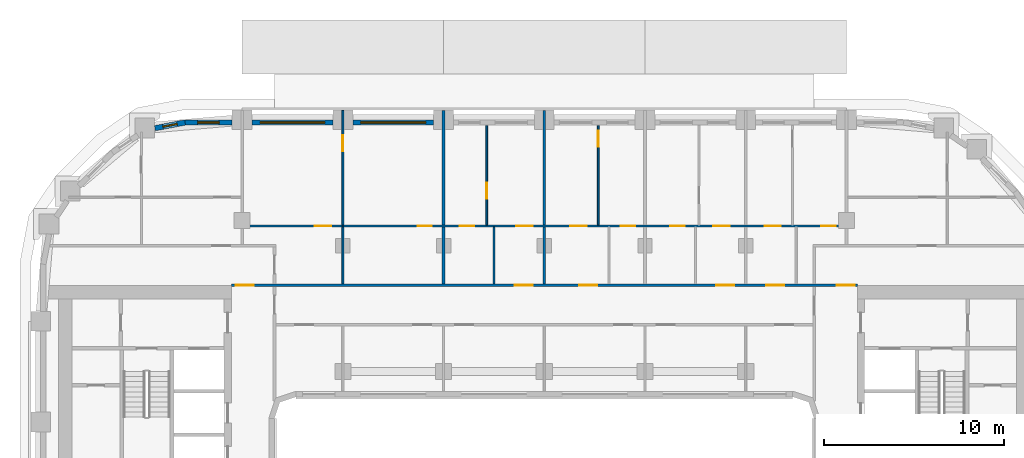
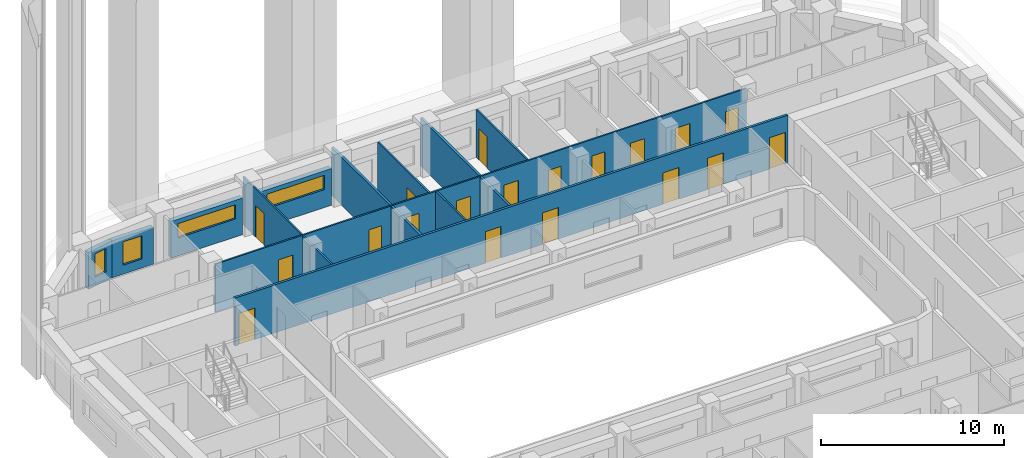
# One storey, part 8 of 18: 19 doors, 15 walls, 4 windows, 23 openings.
"""IFC4 building model written with IfcOpenShell, lengths in metres."""

from ifc_helpers import new_model, si_unit, direction, frame, frame_2d, origin, place, context, subcontext, project, spatial, rectangle, extrude, material, layer, layer_set, type_object, element, fill, save


model = new_model("IFC4")

# Units and contexts
model_context = context("Model", 3, precision=1e-05, world=origin(), true_north=direction((0.0, 1.0)))
body_context = subcontext(model_context, "Body", "Model", "MODEL_VIEW")
ifc_project = project(units=[si_unit("LENGTHUNIT", "METRE"), si_unit("AREAUNIT", "SQUARE_METRE"), si_unit("VOLUMEUNIT", "CUBIC_METRE"), si_unit("PLANEANGLEUNIT", "RADIAN"), si_unit("MASSUNIT", "GRAM", prefix="KILO")], contexts=[model_context])

# Site, building, storey
site_placement = place(None, origin())
site = spatial("IfcSite", under=ifc_project, at=site_placement, CompositionType="ELEMENT")
building_placement = place(site_placement, origin())
building = spatial("IfcBuilding", under=site, at=building_placement, Name="Kiln Ring Residences", CompositionType="ELEMENT")
storey_placement = place(building_placement, frame((0.0, 0.0, 136.10009765625)))
storey = spatial("IfcBuildingStorey", under=building, at=storey_placement, Name="L34", CompositionType="ELEMENT", Elevation=136.10009765625)

# Wall, opening, window
ifc_material_1 = material(Name="Brick masonry, dark clay brick", Category="masonry")
ifc_layer_1 = layer(ifc_material_1, 0.300048828125)
ifc_layer_set_1 = layer_set([ifc_layer_1], Name="EW-300 BRICK WALL")
wall_type_1 = type_object("IfcWallType", Name="EW-300 BRICK WALL", PredefinedType="SOLIDWALL", material=ifc_layer_set_1)
wall_1_placement = place(storey_placement, frame((-6.14990234375, 22.25, 0.0), z_axis=(0.0, 0.0, 1.0), x_axis=(-1.0, 0.0, 0.0)))
wall_1 = element("IfcWall", 1, at=wall_1_placement, inside=storey, type_object=wall_type_1, Name="Facade wall L34 33", PredefinedType="SOLIDWALL", context=body_context, shape_type="SweptSolid", body=[
    extrude(rectangle(XDim=4.5, YDim=0.300048828125, at=frame_2d((2.25, 0.0))), origin(), (0.0, 0.0, 1.0), 2.449951171875),
])
opening_1_placement = place(wall_1_placement, frame((0.449951171875, 0.0, 1.199951171875)))
opening_1 = element("IfcOpeningElement", 2, at=opening_1_placement, cuts=wall_1, Name="Opening W4", PredefinedType="OPENING", context=body_context, shape_type="SweptSolid", body=[
    extrude(rectangle(XDim=3.60009765625, YDim=0.949951171875, at=frame_2d((1.800048828125, 0.47509765625))), frame((0.0, 0.159912109375, 0.0), z_axis=(0.0, -1.0, 0.0), x_axis=(1.0, 0.0, 0.0)), (0.0, 0.0, 1.0), 0.320068359375),
])
ifc_material_2 = material(Name="Aluminium frame with double glazing", Category="aluminium")
window_type_1 = type_object("IfcWindowType", Name="WINDOW 3600 x 950", PartitioningType="SINGLE_PANEL", PredefinedType="WINDOW", material=ifc_material_2)
window_1_placement = place(opening_1_placement, origin())
window_1 = element("IfcWindow", 3, at=window_1_placement, inside=storey, type_object=window_type_1, Name="Window L34 27", OverallHeight=0.949951171875, OverallWidth=3.60009765625, PartitioningType="SINGLE_PANEL", PredefinedType="WINDOW", context=body_context, shape_type="SweptSolid", body=[
    extrude(rectangle(XDim=3.60009765625, YDim=0.949951171875, at=frame_2d((1.800048828125, 0.47509765625))), frame((0.0, 0.030029296875, 0.0), z_axis=(0.0, -1.0, 0.0), x_axis=(1.0, 0.0, 0.0)), (0.0, 0.0, 1.0), 0.06005859375),
])
fill(opening_1, window_1)

wall_2_placement = place(storey_placement, frame((-11.75, 22.25, 0.0), z_axis=(0.0, 0.0, 1.0), x_axis=(-1.0, 0.0, 0.0)))
wall_2 = element("IfcWall", 4, at=wall_2_placement, inside=storey, type_object=wall_type_1, Name="Facade wall L34 34", PredefinedType="SOLIDWALL", context=body_context, shape_type="SweptSolid", body=[
    extrude(rectangle(XDim=4.5, YDim=0.300048828125, at=frame_2d((2.25, 0.0))), origin(), (0.0, 0.0, 1.0), 2.449951171875),
])
opening_2_placement = place(wall_2_placement, frame((0.449951171875, 0.0, 1.199951171875)))
opening_2 = element("IfcOpeningElement", 5, at=opening_2_placement, cuts=wall_2, Name="Opening W4", PredefinedType="OPENING", context=body_context, shape_type="SweptSolid", body=[
    extrude(rectangle(XDim=3.60009765625, YDim=0.949951171875, at=frame_2d((1.800048828125, 0.47509765625))), frame((0.0, 0.159912109375, 0.0), z_axis=(0.0, -1.0, 0.0), x_axis=(1.0, 0.0, 0.0)), (0.0, 0.0, 1.0), 0.320068359375),
])
window_2_placement = place(opening_2_placement, origin())
window_2 = element("IfcWindow", 6, at=window_2_placement, inside=storey, type_object=window_type_1, Name="Window L34 28", OverallHeight=0.949951171875, OverallWidth=3.60009765625, PartitioningType="SINGLE_PANEL", PredefinedType="WINDOW", context=body_context, shape_type="SweptSolid", body=[
    extrude(rectangle(XDim=3.60009765625, YDim=0.949951171875, at=frame_2d((1.800048828125, 0.47509765625))), frame((0.0, 0.030029296875, 0.0), z_axis=(0.0, -1.0, 0.0), x_axis=(1.0, 0.0, 0.0)), (0.0, 0.0, 1.0), 0.06005859375),
])
fill(opening_2, window_2)

wall_3_placement = place(storey_placement, frame((-17.35009765625, 22.25, 0.0), z_axis=(0.0, 0.0, 1.0), x_axis=(-1.0, 0.0, 0.0)))
wall_3 = element("IfcWall", 7, at=wall_3_placement, inside=storey, type_object=wall_type_1, Name="Facade wall L34 35", PredefinedType="SOLIDWALL", context=body_context, shape_type="SweptSolid", body=[
    extrude(rectangle(XDim=2.64990234375, YDim=0.300048828125, at=frame_2d((1.324951171875, 0.0))), origin(), (0.0, 0.0, 1.0), 2.449951171875),
])
opening_3_placement = place(wall_3_placement, frame((0.72509765625, 0.0, 0.60009765625)))
opening_3 = element("IfcOpeningElement", 8, at=opening_3_placement, cuts=wall_3, Name="Opening W1", PredefinedType="OPENING", context=body_context, shape_type="SweptSolid", body=[
    extrude(rectangle(XDim=1.199951171875, YDim=1.550048828125, at=frame_2d((0.60009765625, 0.77490234375))), frame((0.0, 0.159912109375, 0.0), z_axis=(0.0, -1.0, 0.0), x_axis=(1.0, 0.0, 0.0)), (0.0, 0.0, 1.0), 0.320068359375),
])
ifc_material_3 = material(Name="Aluminium frame with double glazing", Category="aluminium")
window_type_2 = type_object("IfcWindowType", Name="WINDOW 1200 x 1550", PartitioningType="SINGLE_PANEL", PredefinedType="WINDOW", material=ifc_material_3)
window_3_placement = place(opening_3_placement, origin())
window_3 = element("IfcWindow", 9, at=window_3_placement, inside=storey, type_object=window_type_2, Name="Window L34 29", OverallHeight=1.550048828125, OverallWidth=1.199951171875, PartitioningType="SINGLE_PANEL", PredefinedType="WINDOW", context=body_context, shape_type="SweptSolid", body=[
    extrude(rectangle(XDim=1.199951171875, YDim=1.550048828125, at=frame_2d((0.60009765625, 0.77490234375))), frame((0.0, 0.030029296875, 0.0), z_axis=(0.0, -1.0, 0.0), x_axis=(1.0, 0.0, 0.0)), (0.0, 0.0, 1.0), 0.06005859375),
])
fill(opening_3, window_3)

wall_4_placement = place(storey_placement, frame((-19.971923828125, 22.252685546875, 0.0), z_axis=(0.0, 0.0, 1.0), x_axis=(-0.982297206936, -0.187329114784, 0.0)))
wall_4 = element("IfcWall", 10, at=wall_4_placement, inside=storey, type_object=wall_type_1, Name="Facade wall L34 36", PredefinedType="SOLIDWALL", context=body_context, shape_type="SweptSolid", body=[
    extrude(rectangle(XDim=1.7060546875, YDim=0.300048828125, at=frame_2d((0.85302734375, 0.0))), origin(), (0.0, 0.0, 1.0), 2.449951171875),
])
opening_4_placement = place(wall_4_placement, frame((0.453125, 0.0, 0.60009765625)))
opening_4 = element("IfcOpeningElement", 11, at=opening_4_placement, cuts=wall_4, Name="Opening W5", PredefinedType="OPENING", context=body_context, shape_type="SweptSolid", body=[
    extrude(rectangle(XDim=0.800048828125, YDim=1.550048828125, at=frame_2d((0.39990234375, 0.77490234375))), frame((0.0, 0.159912109375, 0.0), z_axis=(0.0, -1.0, 0.0), x_axis=(1.0, 0.0, 0.0)), (0.0, 0.0, 1.0), 0.320068359375),
])
ifc_material_4 = material(Name="Aluminium frame with double glazing", Category="aluminium")
window_type_3 = type_object("IfcWindowType", Name="WINDOW 800 x 1550", PartitioningType="SINGLE_PANEL", PredefinedType="WINDOW", material=ifc_material_4)
window_4_placement = place(opening_4_placement, origin())
window_4 = element("IfcWindow", 12, at=window_4_placement, inside=storey, type_object=window_type_3, Name="Window L34 30", OverallHeight=1.550048828125, OverallWidth=0.800048828125, PartitioningType="SINGLE_PANEL", PredefinedType="WINDOW", context=body_context, shape_type="SweptSolid", body=[
    extrude(rectangle(XDim=0.800048828125, YDim=1.550048828125, at=frame_2d((0.39990234375, 0.77490234375))), frame((0.0, 0.030029296875, 0.0), z_axis=(0.0, -1.0, 0.0), x_axis=(1.0, 0.0, 0.0)), (0.0, 0.0, 1.0), 0.06005859375),
])
fill(opening_4, window_4)

# Wall, openings, doors
ifc_material_5 = material(Name="Gypsum board on steel studs", Category="steel")
ifc_layer_2 = layer(ifc_material_5, 0.10009765625)
ifc_layer_set_2 = layer_set([ifc_layer_2], Name="PARTITION-100")
wall_type_2 = type_object("IfcWallType", Name="PARTITION-100", PredefinedType="PARTITIONING", material=ifc_layer_set_2)
wall_5_placement = place(storey_placement, frame((-16.72509765625, 16.5, 0.0), z_axis=(0.0, 0.0, 1.0), x_axis=(1.0, 0.0, 0.0)))
wall_5 = element("IfcWall", 13, at=wall_5_placement, inside=storey, type_object=wall_type_2, Name="Partition 011", PredefinedType="PARTITIONING", context=body_context, shape_type="SweptSolid", body=[
    extrude(rectangle(XDim=33.4501953125, YDim=0.10009765625, at=frame_2d((16.72509765625, 0.0))), origin(), (0.0, 0.0, 1.0), 3.199951171875),
])
opening_5_placement = place(wall_5_placement, frame((9.675048828125, 0.0, 0.0)))
opening_5 = element("IfcOpeningElement", 14, at=opening_5_placement, cuts=wall_5, Name="Opening L34-D016", PredefinedType="OPENING", context=body_context, shape_type="SweptSolid", body=[
    extrude(rectangle(XDim=0.800048828125, YDim=2.10009765625, at=frame_2d((0.39990234375, 1.050048828125))), frame((0.0, 0.06005859375, 0.0), z_axis=(0.0, -1.0, 0.0), x_axis=(1.0, 0.0, 0.0)), (0.0, 0.0, 1.0), 0.1201171875),
])
opening_6_placement = place(wall_5_placement, frame((3.97509765625, 0.0, 0.0)))
opening_6 = element("IfcOpeningElement", 15, at=opening_6_placement, cuts=wall_5, Name="Opening L34-D017", PredefinedType="OPENING", context=body_context, shape_type="SweptSolid", body=[
    extrude(rectangle(XDim=0.89990234375, YDim=2.10009765625, at=frame_2d((0.449951171875, 1.050048828125))), frame((0.0, 0.06005859375, 0.0), z_axis=(0.0, -1.0, 0.0), x_axis=(1.0, 0.0, 0.0)), (0.0, 0.0, 1.0), 0.1201171875),
])
opening_7_placement = place(wall_5_placement, frame((12.02490234375, 0.0, 0.0)))
opening_7 = element("IfcOpeningElement", 16, at=opening_7_placement, cuts=wall_5, Name="Opening L34-D020", PredefinedType="OPENING", context=body_context, shape_type="SweptSolid", body=[
    extrude(rectangle(XDim=0.800048828125, YDim=2.10009765625, at=frame_2d((0.39990234375, 1.050048828125))), frame((0.0, 0.06005859375, 0.0), z_axis=(0.0, -1.0, 0.0), x_axis=(1.0, 0.0, 0.0)), (0.0, 0.0, 1.0), 0.1201171875),
])
opening_8_placement = place(wall_5_placement, frame((15.175048828125, 0.0, 0.0)))
opening_8 = element("IfcOpeningElement", 17, at=opening_8_placement, cuts=wall_5, Name="Opening L34-D021", PredefinedType="OPENING", context=body_context, shape_type="SweptSolid", body=[
    extrude(rectangle(XDim=0.89990234375, YDim=2.10009765625, at=frame_2d((0.449951171875, 1.050048828125))), frame((0.0, 0.06005859375, 0.0), z_axis=(0.0, -1.0, 0.0), x_axis=(1.0, 0.0, 0.0)), (0.0, 0.0, 1.0), 0.1201171875),
])
opening_9_placement = place(wall_5_placement, frame((20.97509765625, 0.0, 0.0)))
opening_9 = element("IfcOpeningElement", 18, at=opening_9_placement, cuts=wall_5, Name="Opening L34-D024", PredefinedType="OPENING", context=body_context, shape_type="SweptSolid", body=[
    extrude(rectangle(XDim=0.800048828125, YDim=2.10009765625, at=frame_2d((0.39990234375, 1.050048828125))), frame((0.0, 0.06005859375, 0.0), z_axis=(0.0, -1.0, 0.0), x_axis=(1.0, 0.0, 0.0)), (0.0, 0.0, 1.0), 0.1201171875),
])
opening_10_placement = place(wall_5_placement, frame((18.175048828125, 0.0, 0.0)))
opening_10 = element("IfcOpeningElement", 19, at=opening_10_placement, cuts=wall_5, Name="Opening L34-D025", PredefinedType="OPENING", context=body_context, shape_type="SweptSolid", body=[
    extrude(rectangle(XDim=0.89990234375, YDim=2.10009765625, at=frame_2d((0.449951171875, 1.050048828125))), frame((0.0, 0.06005859375, 0.0), z_axis=(0.0, -1.0, 0.0), x_axis=(1.0, 0.0, 0.0)), (0.0, 0.0, 1.0), 0.1201171875),
])
opening_11_placement = place(wall_5_placement, frame((23.72509765625, 0.0, 0.0)))
opening_11 = element("IfcOpeningElement", 20, at=opening_11_placement, cuts=wall_5, Name="Opening L34-D028", PredefinedType="OPENING", context=body_context, shape_type="SweptSolid", body=[
    extrude(rectangle(XDim=0.800048828125, YDim=2.10009765625, at=frame_2d((0.39990234375, 1.050048828125))), frame((0.0, 0.06005859375, 0.0), z_axis=(0.0, -1.0, 0.0), x_axis=(1.0, 0.0, 0.0)), (0.0, 0.0, 1.0), 0.1201171875),
])
opening_12_placement = place(wall_5_placement, frame((26.125, 0.0, 0.0)))
opening_12 = element("IfcOpeningElement", 21, at=opening_12_placement, cuts=wall_5, Name="Opening L34-D029", PredefinedType="OPENING", context=body_context, shape_type="SweptSolid", body=[
    extrude(rectangle(XDim=0.89990234375, YDim=2.10009765625, at=frame_2d((0.449951171875, 1.050048828125))), frame((0.0, 0.06005859375, 0.0), z_axis=(0.0, -1.0, 0.0), x_axis=(1.0, 0.0, 0.0)), (0.0, 0.0, 1.0), 0.1201171875),
])
opening_13_placement = place(wall_5_placement, frame((32.125, 0.0, 0.0)))
opening_13 = element("IfcOpeningElement", 22, at=opening_13_placement, cuts=wall_5, Name="Opening L34-D032", PredefinedType="OPENING", context=body_context, shape_type="SweptSolid", body=[
    extrude(rectangle(XDim=0.800048828125, YDim=2.10009765625, at=frame_2d((0.39990234375, 1.050048828125))), frame((0.0, 0.06005859375, 0.0), z_axis=(0.0, -1.0, 0.0), x_axis=(1.0, 0.0, 0.0)), (0.0, 0.0, 1.0), 0.1201171875),
])
opening_14_placement = place(wall_5_placement, frame((28.97509765625, 0.0, 0.0)))
opening_14 = element("IfcOpeningElement", 23, at=opening_14_placement, cuts=wall_5, Name="Opening L34-D033", PredefinedType="OPENING", context=body_context, shape_type="SweptSolid", body=[
    extrude(rectangle(XDim=0.89990234375, YDim=2.10009765625, at=frame_2d((0.449951171875, 1.050048828125))), frame((0.0, 0.06005859375, 0.0), z_axis=(0.0, -1.0, 0.0), x_axis=(1.0, 0.0, 0.0)), (0.0, 0.0, 1.0), 0.1201171875),
])
ifc_material_6 = material(Name="Timber door leaf", Category="wood")
door_type_1 = type_object("IfcDoorType", Name="FLAT-DOOR-800-PL", OperationType="SINGLE_SWING_LEFT", PredefinedType="DOOR", material=ifc_material_6)
door_1_placement = place(opening_5_placement, origin())
door_1 = element("IfcDoor", 24, at=door_1_placement, inside=storey, type_object=door_type_1, Name="Door L34-D016", OperationType="SINGLE_SWING_RIGHT", OverallHeight=2.10009765625, OverallWidth=0.800048828125, PredefinedType="DOOR", context=body_context, shape_type="SweptSolid", body=[
    extrude(rectangle(XDim=0.800048828125, YDim=2.10009765625, at=frame_2d((0.39990234375, 1.050048828125))), frame((0.0, 0.02490234375, 0.0), z_axis=(0.0, -1.0, 0.0), x_axis=(1.0, 0.0, 0.0)), (0.0, 0.0, 1.0), 0.050048828125),
])
fill(opening_5, door_1)
door_2_placement = place(opening_7_placement, origin())
door_2 = element("IfcDoor", 25, at=door_2_placement, inside=storey, type_object=door_type_1, Name="Door L34-D020", OperationType="SINGLE_SWING_RIGHT", OverallHeight=2.10009765625, OverallWidth=0.800048828125, PredefinedType="DOOR", context=body_context, shape_type="SweptSolid", body=[
    extrude(rectangle(XDim=0.800048828125, YDim=2.10009765625, at=frame_2d((0.39990234375, 1.050048828125))), frame((0.0, 0.02490234375, 0.0), z_axis=(0.0, -1.0, 0.0), x_axis=(1.0, 0.0, 0.0)), (0.0, 0.0, 1.0), 0.050048828125),
])
fill(opening_7, door_2)
door_3_placement = place(opening_9_placement, origin())
door_3 = element("IfcDoor", 26, at=door_3_placement, inside=storey, type_object=door_type_1, Name="Door L34-D024", OperationType="SINGLE_SWING_RIGHT", OverallHeight=2.10009765625, OverallWidth=0.800048828125, PredefinedType="DOOR", context=body_context, shape_type="SweptSolid", body=[
    extrude(rectangle(XDim=0.800048828125, YDim=2.10009765625, at=frame_2d((0.39990234375, 1.050048828125))), frame((0.0, 0.02490234375, 0.0), z_axis=(0.0, -1.0, 0.0), x_axis=(1.0, 0.0, 0.0)), (0.0, 0.0, 1.0), 0.050048828125),
])
fill(opening_9, door_3)
door_4_placement = place(opening_11_placement, origin())
door_4 = element("IfcDoor", 27, at=door_4_placement, inside=storey, type_object=door_type_1, Name="Door L34-D028", OperationType="SINGLE_SWING_RIGHT", OverallHeight=2.10009765625, OverallWidth=0.800048828125, PredefinedType="DOOR", context=body_context, shape_type="SweptSolid", body=[
    extrude(rectangle(XDim=0.800048828125, YDim=2.10009765625, at=frame_2d((0.39990234375, 1.050048828125))), frame((0.0, 0.02490234375, 0.0), z_axis=(0.0, -1.0, 0.0), x_axis=(1.0, 0.0, 0.0)), (0.0, 0.0, 1.0), 0.050048828125),
])
fill(opening_11, door_4)
door_5_placement = place(opening_13_placement, origin())
door_5 = element("IfcDoor", 28, at=door_5_placement, inside=storey, type_object=door_type_1, Name="Door L34-D032", OperationType="SINGLE_SWING_RIGHT", OverallHeight=2.10009765625, OverallWidth=0.800048828125, PredefinedType="DOOR", context=body_context, shape_type="SweptSolid", body=[
    extrude(rectangle(XDim=0.800048828125, YDim=2.10009765625, at=frame_2d((0.39990234375, 1.050048828125))), frame((0.0, 0.02490234375, 0.0), z_axis=(0.0, -1.0, 0.0), x_axis=(1.0, 0.0, 0.0)), (0.0, 0.0, 1.0), 0.050048828125),
])
fill(opening_13, door_5)
ifc_material_7 = material(Name="Timber door leaf", Category="wood")
door_type_2 = type_object("IfcDoorType", Name="FLAT-DOOR-900-PL", OperationType="SINGLE_SWING_LEFT", PredefinedType="DOOR", material=ifc_material_7)
door_6_placement = place(opening_6_placement, origin())
door_6 = element("IfcDoor", 29, at=door_6_placement, inside=storey, type_object=door_type_2, Name="Door L34-D017", OperationType="SINGLE_SWING_LEFT", OverallHeight=2.10009765625, OverallWidth=0.89990234375, PredefinedType="DOOR", context=body_context, shape_type="SweptSolid", body=[
    extrude(rectangle(XDim=0.89990234375, YDim=2.10009765625, at=frame_2d((0.449951171875, 1.050048828125))), frame((0.0, 0.02490234375, 0.0), z_axis=(0.0, -1.0, 0.0), x_axis=(1.0, 0.0, 0.0)), (0.0, 0.0, 1.0), 0.050048828125),
])
fill(opening_6, door_6)
door_7_placement = place(opening_8_placement, origin())
door_7 = element("IfcDoor", 30, at=door_7_placement, inside=storey, type_object=door_type_2, Name="Door L34-D021", OperationType="SINGLE_SWING_LEFT", OverallHeight=2.10009765625, OverallWidth=0.89990234375, PredefinedType="DOOR", context=body_context, shape_type="SweptSolid", body=[
    extrude(rectangle(XDim=0.89990234375, YDim=2.10009765625, at=frame_2d((0.449951171875, 1.050048828125))), frame((0.0, 0.02490234375, 0.0), z_axis=(0.0, -1.0, 0.0), x_axis=(1.0, 0.0, 0.0)), (0.0, 0.0, 1.0), 0.050048828125),
])
fill(opening_8, door_7)
door_8_placement = place(opening_10_placement, origin())
door_8 = element("IfcDoor", 31, at=door_8_placement, inside=storey, type_object=door_type_2, Name="Door L34-D025", OperationType="SINGLE_SWING_LEFT", OverallHeight=2.10009765625, OverallWidth=0.89990234375, PredefinedType="DOOR", context=body_context, shape_type="SweptSolid", body=[
    extrude(rectangle(XDim=0.89990234375, YDim=2.10009765625, at=frame_2d((0.449951171875, 1.050048828125))), frame((0.0, 0.02490234375, 0.0), z_axis=(0.0, -1.0, 0.0), x_axis=(1.0, 0.0, 0.0)), (0.0, 0.0, 1.0), 0.050048828125),
])
fill(opening_10, door_8)
door_9_placement = place(opening_12_placement, origin())
door_9 = element("IfcDoor", 32, at=door_9_placement, inside=storey, type_object=door_type_2, Name="Door L34-D029", OperationType="SINGLE_SWING_LEFT", OverallHeight=2.10009765625, OverallWidth=0.89990234375, PredefinedType="DOOR", context=body_context, shape_type="SweptSolid", body=[
    extrude(rectangle(XDim=0.89990234375, YDim=2.10009765625, at=frame_2d((0.449951171875, 1.050048828125))), frame((0.0, 0.02490234375, 0.0), z_axis=(0.0, -1.0, 0.0), x_axis=(1.0, 0.0, 0.0)), (0.0, 0.0, 1.0), 0.050048828125),
])
fill(opening_12, door_9)
door_10_placement = place(opening_14_placement, origin())
door_10 = element("IfcDoor", 33, at=door_10_placement, inside=storey, type_object=door_type_2, Name="Door L34-D033", OperationType="SINGLE_SWING_LEFT", OverallHeight=2.10009765625, OverallWidth=0.89990234375, PredefinedType="DOOR", context=body_context, shape_type="SweptSolid", body=[
    extrude(rectangle(XDim=0.89990234375, YDim=2.10009765625, at=frame_2d((0.449951171875, 1.050048828125))), frame((0.0, 0.02490234375, 0.0), z_axis=(0.0, -1.0, 0.0), x_axis=(1.0, 0.0, 0.0)), (0.0, 0.0, 1.0), 0.050048828125),
])
fill(opening_14, door_10)

# Wall
wall_6_placement = place(storey_placement, frame((-11.199951171875, 13.27490234375, 0.0), z_axis=(0.0, 0.0, 1.0), x_axis=(0.0, 1.0, 0.0)))
element("IfcWall", 34, at=wall_6_placement, inside=storey, type_object=wall_type_2, Name="Partition 028", PredefinedType="PARTITIONING", context=body_context, shape_type="SweptSolid", body=[
    extrude(rectangle(XDim=3.175048828125, YDim=0.10009765625, at=frame_2d((1.58740234375, 0.0))), origin(), (0.0, 0.0, 1.0), 3.199951171875),
])

# Wall, opening, door
wall_7_placement = place(storey_placement, frame((-11.199951171875, 16.550048828125, 0.0), z_axis=(0.0, 0.0, 1.0), x_axis=(0.0, 1.0, 0.0)))
wall_7 = element("IfcWall", 35, at=wall_7_placement, inside=storey, type_object=wall_type_2, Name="Partition 029", PredefinedType="PARTITIONING", context=body_context, shape_type="SweptSolid", body=[
    extrude(rectangle(XDim=6.3798828125, YDim=0.10009765625, at=frame_2d((3.18994140625, 0.0))), origin(), (0.0, 0.0, 1.0), 3.199951171875),
])
opening_15_placement = place(wall_7_placement, frame((4.10009765625, 0.0, 0.0)))
opening_15 = element("IfcOpeningElement", 36, at=opening_15_placement, cuts=wall_7, Name="Opening L34-D018", PredefinedType="OPENING", context=body_context, shape_type="SweptSolid", body=[
    extrude(rectangle(XDim=0.89990234375, YDim=2.10009765625, at=frame_2d((0.449951171875, 1.050048828125))), frame((0.0, 0.06005859375, 0.0), z_axis=(0.0, -1.0, 0.0), x_axis=(1.0, 0.0, 0.0)), (0.0, 0.0, 1.0), 0.1201171875),
])
door_11_placement = place(opening_15_placement, origin())
door_11 = element("IfcDoor", 37, at=door_11_placement, inside=storey, type_object=door_type_2, Name="Door L34-D018", OperationType="SINGLE_SWING_RIGHT", OverallHeight=2.10009765625, OverallWidth=0.89990234375, PredefinedType="DOOR", context=body_context, shape_type="SweptSolid", body=[
    extrude(rectangle(XDim=0.89990234375, YDim=2.10009765625, at=frame_2d((0.449951171875, 1.050048828125))), frame((0.0, 0.02490234375, 0.0), z_axis=(0.0, -1.0, 0.0), x_axis=(1.0, 0.0, 0.0)), (0.0, 0.0, 1.0), 0.050048828125),
])
fill(opening_15, door_11)

wall_8_placement = place(storey_placement, frame((-3.199951171875, 16.550048828125, 0.0), z_axis=(0.0, 0.0, 1.0), x_axis=(0.0, 1.0, 0.0)))
wall_8 = element("IfcWall", 38, at=wall_8_placement, inside=storey, type_object=wall_type_2, Name="Partition 036", PredefinedType="PARTITIONING", context=body_context, shape_type="SweptSolid", body=[
    extrude(rectangle(XDim=5.530029296875, YDim=0.10009765625, at=frame_2d((2.76513671875, 0.0))), origin(), (0.0, 0.0, 1.0), 3.199951171875),
])
opening_16_placement = place(wall_8_placement, frame((1.4599609375, 0.0, 0.0)))
opening_16 = element("IfcOpeningElement", 39, at=opening_16_placement, cuts=wall_8, Name="Opening L34-D022", PredefinedType="OPENING", context=body_context, shape_type="SweptSolid", body=[
    extrude(rectangle(XDim=0.89990234375, YDim=2.10009765625, at=frame_2d((0.449951171875, 1.050048828125))), frame((0.0, 0.06005859375, 0.0), z_axis=(0.0, -1.0, 0.0), x_axis=(1.0, 0.0, 0.0)), (0.0, 0.0, 1.0), 0.1201171875),
])
door_12_placement = place(opening_16_placement, origin())
door_12 = element("IfcDoor", 40, at=door_12_placement, inside=storey, type_object=door_type_2, Name="Door L34-D022", OperationType="SINGLE_SWING_RIGHT", OverallHeight=2.10009765625, OverallWidth=0.89990234375, PredefinedType="DOOR", context=body_context, shape_type="SweptSolid", body=[
    extrude(rectangle(XDim=0.89990234375, YDim=2.10009765625, at=frame_2d((0.449951171875, 1.050048828125))), frame((0.0, 0.02490234375, 0.0), z_axis=(0.0, -1.0, 0.0), x_axis=(1.0, 0.0, 0.0)), (0.0, 0.0, 1.0), 0.050048828125),
])
fill(opening_16, door_12)

# Wall
wall_9_placement = place(storey_placement, frame((-2.800048828125, 13.27490234375, 0.0), z_axis=(0.0, 0.0, 1.0), x_axis=(0.0, 1.0, 0.0)))
element("IfcWall", 41, at=wall_9_placement, inside=storey, type_object=wall_type_2, Name="Partition 037", PredefinedType="PARTITIONING", context=body_context, shape_type="SweptSolid", body=[
    extrude(rectangle(XDim=3.175048828125, YDim=0.10009765625, at=frame_2d((1.58740234375, 0.0))), origin(), (0.0, 0.0, 1.0), 3.199951171875),
])

# Wall, opening, door
wall_10_placement = place(storey_placement, frame((3.0, 16.550048828125, 0.0), z_axis=(0.0, 0.0, 1.0), x_axis=(0.0, 1.0, 0.0)))
wall_10 = element("IfcWall", 42, at=wall_10_placement, inside=storey, type_object=wall_type_2, Name="Partition 047", PredefinedType="PARTITIONING", context=body_context, shape_type="SweptSolid", body=[
    extrude(rectangle(XDim=5.530029296875, YDim=0.10009765625, at=frame_2d((2.76513671875, 0.0))), origin(), (0.0, 0.0, 1.0), 3.199951171875),
])
opening_17_placement = place(wall_10_placement, frame((4.35009765625, 0.0, 0.0)))
opening_17 = element("IfcOpeningElement", 43, at=opening_17_placement, cuts=wall_10, Name="Opening L34-D026", PredefinedType="OPENING", context=body_context, shape_type="SweptSolid", body=[
    extrude(rectangle(XDim=0.89990234375, YDim=2.10009765625, at=frame_2d((0.449951171875, 1.050048828125))), frame((0.0, 0.06005859375, 0.0), z_axis=(0.0, -1.0, 0.0), x_axis=(1.0, 0.0, 0.0)), (0.0, 0.0, 1.0), 0.1201171875),
])
door_13_placement = place(opening_17_placement, origin())
door_13 = element("IfcDoor", 44, at=door_13_placement, inside=storey, type_object=door_type_2, Name="Door L34-D026", OperationType="SINGLE_SWING_RIGHT", OverallHeight=2.10009765625, OverallWidth=0.89990234375, PredefinedType="DOOR", context=body_context, shape_type="SweptSolid", body=[
    extrude(rectangle(XDim=0.89990234375, YDim=2.10009765625, at=frame_2d((0.449951171875, 1.050048828125))), frame((0.0, 0.02490234375, 0.0), z_axis=(0.0, -1.0, 0.0), x_axis=(1.0, 0.0, 0.0)), (0.0, 0.0, 1.0), 0.050048828125),
])
fill(opening_17, door_13)

# Wall, openings, doors
ifc_material_8 = material(Name="Brick masonry partition", Category="masonry")
ifc_layer_3 = layer(ifc_material_8, 0.14990234375)
ifc_layer_set_3 = layer_set([ifc_layer_3], Name="PARTITION-150-ei60")
wall_type_3 = type_object("IfcWallType", Name="PARTITION-150-ei60", PredefinedType="PARTITIONING", material=ifc_layer_set_3)
wall_11_placement = place(storey_placement, frame((-17.39990234375, 13.199951171875, 0.0), z_axis=(0.0, 0.0, 1.0), x_axis=(1.0, 0.0, 0.0)))
wall_11 = element("IfcWall", 45, at=wall_11_placement, inside=storey, type_object=wall_type_3, Name="Partition 008", PredefinedType="PARTITIONING", context=body_context, shape_type="SweptSolid", body=[
    extrude(rectangle(XDim=34.7998046875, YDim=0.14990234375, at=frame_2d((17.39990234375, 0.0))), origin(), (0.0, 0.0, 1.0), 3.199951171875),
])
opening_18_placement = place(wall_11_placement, frame((0.25, 0.0, 0.0)))
opening_18 = element("IfcOpeningElement", 46, at=opening_18_placement, cuts=wall_11, Name="Opening L34-D003", PredefinedType="OPENING", context=body_context, shape_type="SweptSolid", body=[
    extrude(rectangle(XDim=1.0, YDim=2.10009765625, at=frame_2d((0.5, 1.050048828125))), frame((0.0, 0.0849609375, 0.0), z_axis=(0.0, -1.0, 0.0), x_axis=(1.0, 0.0, 0.0)), (0.0, 0.0, 1.0), 0.169921875),
])
opening_19_placement = place(wall_11_placement, frame((33.64990234375, 0.0, 0.0)))
opening_19 = element("IfcOpeningElement", 47, at=opening_19_placement, cuts=wall_11, Name="Opening L34-D004", PredefinedType="OPENING", context=body_context, shape_type="SweptSolid", body=[
    extrude(rectangle(XDim=1.0, YDim=2.10009765625, at=frame_2d((0.5, 1.050048828125))), frame((0.0, 0.0849609375, 0.0), z_axis=(0.0, -1.0, 0.0), x_axis=(1.0, 0.0, 0.0)), (0.0, 0.0, 1.0), 0.169921875),
])
opening_20_placement = place(wall_11_placement, frame((15.75, 0.0, 0.0)))
opening_20 = element("IfcOpeningElement", 48, at=opening_20_placement, cuts=wall_11, Name="Opening L34-D019", PredefinedType="OPENING", context=body_context, shape_type="SweptSolid", body=[
    extrude(rectangle(XDim=1.0, YDim=2.10009765625, at=frame_2d((0.5, 1.050048828125))), frame((0.0, 0.0849609375, 0.0), z_axis=(0.0, -1.0, 0.0), x_axis=(1.0, 0.0, 0.0)), (0.0, 0.0, 1.0), 0.169921875),
])
opening_21_placement = place(wall_11_placement, frame((19.35009765625, 0.0, 0.0)))
opening_21 = element("IfcOpeningElement", 49, at=opening_21_placement, cuts=wall_11, Name="Opening L34-D023", PredefinedType="OPENING", context=body_context, shape_type="SweptSolid", body=[
    extrude(rectangle(XDim=1.0, YDim=2.10009765625, at=frame_2d((0.5, 1.050048828125))), frame((0.0, 0.0849609375, 0.0), z_axis=(0.0, -1.0, 0.0), x_axis=(1.0, 0.0, 0.0)), (0.0, 0.0, 1.0), 0.169921875),
])
opening_22_placement = place(wall_11_placement, frame((26.949951171875, 0.0, 0.0)))
opening_22 = element("IfcOpeningElement", 50, at=opening_22_placement, cuts=wall_11, Name="Opening L34-D027", PredefinedType="OPENING", context=body_context, shape_type="SweptSolid", body=[
    extrude(rectangle(XDim=1.0, YDim=2.10009765625, at=frame_2d((0.5, 1.050048828125))), frame((0.0, 0.0849609375, 0.0), z_axis=(0.0, -1.0, 0.0), x_axis=(1.0, 0.0, 0.0)), (0.0, 0.0, 1.0), 0.169921875),
])
opening_23_placement = place(wall_11_placement, frame((29.75, 0.0, 0.0)))
opening_23 = element("IfcOpeningElement", 51, at=opening_23_placement, cuts=wall_11, Name="Opening L34-D031", PredefinedType="OPENING", context=body_context, shape_type="SweptSolid", body=[
    extrude(rectangle(XDim=1.0, YDim=2.10009765625, at=frame_2d((0.5, 1.050048828125))), frame((0.0, 0.0849609375, 0.0), z_axis=(0.0, -1.0, 0.0), x_axis=(1.0, 0.0, 0.0)), (0.0, 0.0, 1.0), 0.169921875),
])
ifc_material_9 = material(Name="Steel faced fire door leaf", Category="steel")
door_type_3 = type_object("IfcDoorType", Name="FLAT-DOOR-1000-FR", OperationType="SINGLE_SWING_LEFT", PredefinedType="DOOR", material=ifc_material_9)
door_14_placement = place(opening_18_placement, origin())
door_14 = element("IfcDoor", 52, at=door_14_placement, inside=storey, type_object=door_type_3, Name="Door L34-D003", OperationType="SINGLE_SWING_LEFT", OverallHeight=2.10009765625, OverallWidth=1.0, PredefinedType="DOOR", context=body_context, shape_type="SweptSolid", body=[
    extrude(rectangle(XDim=1.0, YDim=2.10009765625, at=frame_2d((0.5, 1.050048828125))), frame((0.0, 0.02490234375, 0.0), z_axis=(0.0, -1.0, 0.0), x_axis=(1.0, 0.0, 0.0)), (0.0, 0.0, 1.0), 0.050048828125),
])
fill(opening_18, door_14)
door_15_placement = place(opening_19_placement, origin())
door_15 = element("IfcDoor", 53, at=door_15_placement, inside=storey, type_object=door_type_3, Name="Door L34-D004", OperationType="SINGLE_SWING_RIGHT", OverallHeight=2.10009765625, OverallWidth=1.0, PredefinedType="DOOR", context=body_context, shape_type="SweptSolid", body=[
    extrude(rectangle(XDim=1.0, YDim=2.10009765625, at=frame_2d((0.5, 1.050048828125))), frame((0.0, 0.02490234375, 0.0), z_axis=(0.0, -1.0, 0.0), x_axis=(1.0, 0.0, 0.0)), (0.0, 0.0, 1.0), 0.050048828125),
])
fill(opening_19, door_15)
door_16_placement = place(opening_20_placement, origin())
door_16 = element("IfcDoor", 54, at=door_16_placement, inside=storey, type_object=door_type_3, Name="Door L34-D019", OperationType="SINGLE_SWING_LEFT", OverallHeight=2.10009765625, OverallWidth=1.0, PredefinedType="DOOR", context=body_context, shape_type="SweptSolid", body=[
    extrude(rectangle(XDim=1.0, YDim=2.10009765625, at=frame_2d((0.5, 1.050048828125))), frame((0.0, 0.02490234375, 0.0), z_axis=(0.0, -1.0, 0.0), x_axis=(1.0, 0.0, 0.0)), (0.0, 0.0, 1.0), 0.050048828125),
])
fill(opening_20, door_16)
door_17_placement = place(opening_21_placement, origin())
door_17 = element("IfcDoor", 55, at=door_17_placement, inside=storey, type_object=door_type_3, Name="Door L34-D023", OperationType="SINGLE_SWING_LEFT", OverallHeight=2.10009765625, OverallWidth=1.0, PredefinedType="DOOR", context=body_context, shape_type="SweptSolid", body=[
    extrude(rectangle(XDim=1.0, YDim=2.10009765625, at=frame_2d((0.5, 1.050048828125))), frame((0.0, 0.02490234375, 0.0), z_axis=(0.0, -1.0, 0.0), x_axis=(1.0, 0.0, 0.0)), (0.0, 0.0, 1.0), 0.050048828125),
])
fill(opening_21, door_17)
door_18_placement = place(opening_22_placement, origin())
door_18 = element("IfcDoor", 56, at=door_18_placement, inside=storey, type_object=door_type_3, Name="Door L34-D027", OperationType="SINGLE_SWING_LEFT", OverallHeight=2.10009765625, OverallWidth=1.0, PredefinedType="DOOR", context=body_context, shape_type="SweptSolid", body=[
    extrude(rectangle(XDim=1.0, YDim=2.10009765625, at=frame_2d((0.5, 1.050048828125))), frame((0.0, 0.02490234375, 0.0), z_axis=(0.0, -1.0, 0.0), x_axis=(1.0, 0.0, 0.0)), (0.0, 0.0, 1.0), 0.050048828125),
])
fill(opening_22, door_18)
door_19_placement = place(opening_23_placement, origin())
door_19 = element("IfcDoor", 57, at=door_19_placement, inside=storey, type_object=door_type_3, Name="Door L34-D031", OperationType="SINGLE_SWING_LEFT", OverallHeight=2.10009765625, OverallWidth=1.0, PredefinedType="DOOR", context=body_context, shape_type="SweptSolid", body=[
    extrude(rectangle(XDim=1.0, YDim=2.10009765625, at=frame_2d((0.5, 1.050048828125))), frame((0.0, 0.02490234375, 0.0), z_axis=(0.0, -1.0, 0.0), x_axis=(1.0, 0.0, 0.0)), (0.0, 0.0, 1.0), 0.050048828125),
])
fill(opening_23, door_19)

# Walls
wall_12_placement = place(storey_placement, frame((-5.60009765625, 13.27490234375, 0.0), z_axis=(0.0, 0.0, 1.0), x_axis=(0.0, 1.0, 0.0)))
element("IfcWall", 58, at=wall_12_placement, inside=storey, type_object=wall_type_3, Name="Partition 034", PredefinedType="PARTITIONING", context=body_context, shape_type="SweptSolid", body=[
    extrude(rectangle(XDim=3.175048828125, YDim=0.14990234375, at=frame_2d((1.58740234375, 0.0))), origin(), (0.0, 0.0, 1.0), 3.199951171875),
])
wall_13_placement = place(storey_placement, frame((-5.60009765625, 16.550048828125, 0.0), z_axis=(0.0, 0.0, 1.0), x_axis=(0.0, 1.0, 0.0)))
element("IfcWall", 59, at=wall_13_placement, inside=storey, type_object=wall_type_3, Name="Partition 035", PredefinedType="PARTITIONING", context=body_context, shape_type="SweptSolid", body=[
    extrude(rectangle(XDim=6.3798828125, YDim=0.14990234375, at=frame_2d((3.18994140625, 0.0))), origin(), (0.0, 0.0, 1.0), 3.199951171875),
])
wall_14_placement = place(storey_placement, frame((0.0, 13.27490234375, 0.0), z_axis=(0.0, 0.0, 1.0), x_axis=(0.0, 1.0, 0.0)))
element("IfcWall", 60, at=wall_14_placement, inside=storey, type_object=wall_type_3, Name="Partition 043", PredefinedType="PARTITIONING", context=body_context, shape_type="SweptSolid", body=[
    extrude(rectangle(XDim=3.175048828125, YDim=0.14990234375, at=frame_2d((1.58740234375, 0.0))), origin(), (0.0, 0.0, 1.0), 3.199951171875),
])
wall_15_placement = place(storey_placement, frame((0.0, 16.550048828125, 0.0), z_axis=(0.0, 0.0, 1.0), x_axis=(0.0, 1.0, 0.0)))
element("IfcWall", 61, at=wall_15_placement, inside=storey, type_object=wall_type_3, Name="Partition 044", PredefinedType="PARTITIONING", context=body_context, shape_type="SweptSolid", body=[
    extrude(rectangle(XDim=6.3798828125, YDim=0.14990234375, at=frame_2d((3.18994140625, 0.0))), origin(), (0.0, 0.0, 1.0), 3.199951171875),
])

save(model, "model.ifc")
